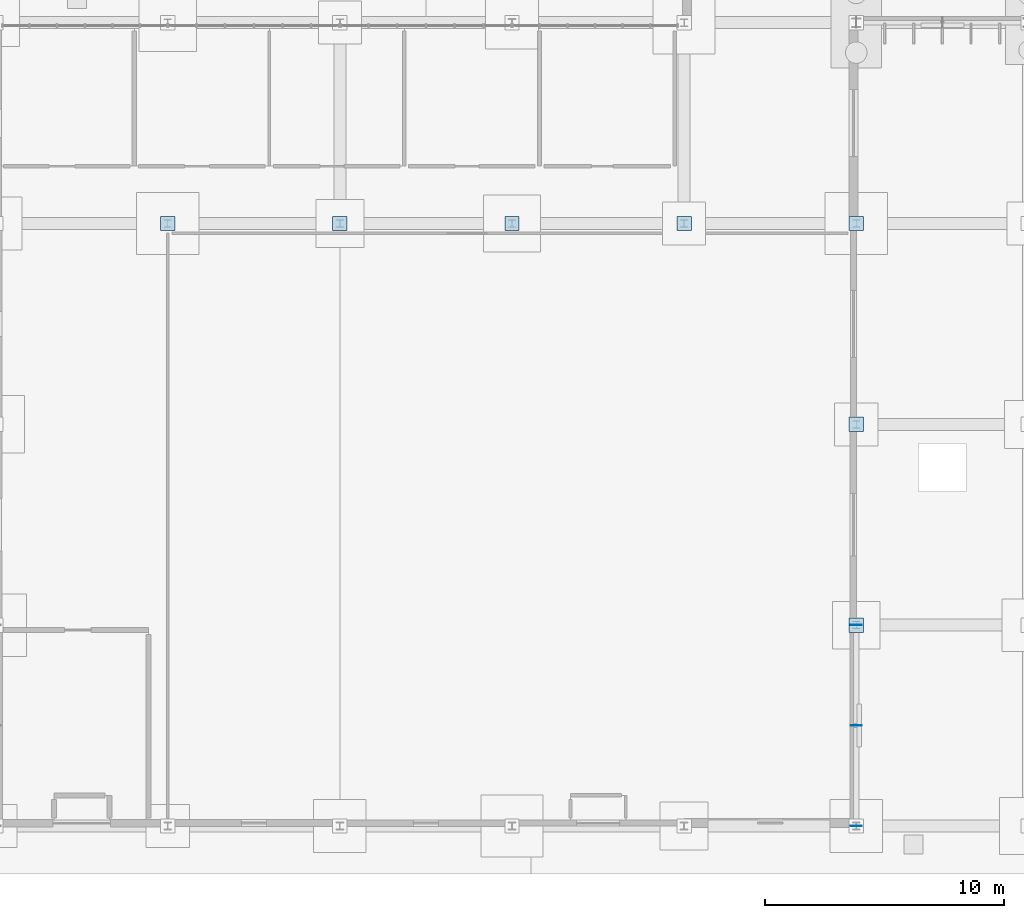
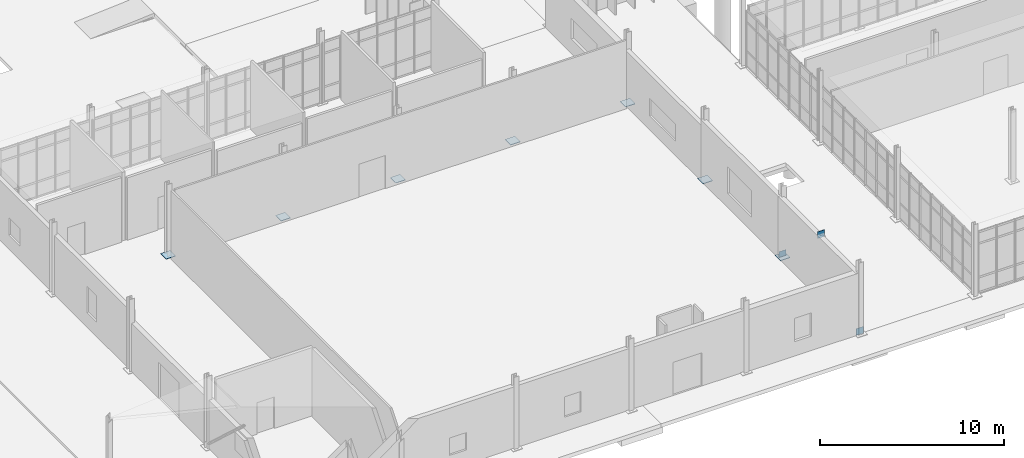
# One storey, part 75 of 118: 10 plates.
"""IFC4 building model written with IfcOpenShell, lengths in metres."""

from ifc_helpers import new_model, si_unit, direction, frame, origin, origin_2d, place, context, subcontext, project, spatial, rectangle, extrude, material, layer, layer_set, type_object, element, save


model = new_model("IFC4")

# Units and contexts
model_context = context("Model", 3, precision=1e-05, world=origin(), true_north=direction((0.0, 1.0)))
body_context = subcontext(model_context, "Body", "Model", "MODEL_VIEW")
ifc_project = project(units=[si_unit("LENGTHUNIT", "METRE"), si_unit("AREAUNIT", "SQUARE_METRE"), si_unit("VOLUMEUNIT", "CUBIC_METRE"), si_unit("PLANEANGLEUNIT", "RADIAN"), si_unit("MASSUNIT", "GRAM", prefix="KILO")], contexts=[model_context])

# Site, building, storey
site_placement = place(None, origin())
site = spatial("IfcSite", under=ifc_project, at=site_placement, CompositionType="ELEMENT")
building_placement = place(site_placement, origin())
building = spatial("IfcBuilding", under=site, at=building_placement, Name="Qelthora Terrace Specialist Clinic", CompositionType="ELEMENT")
storey_placement = place(building_placement, origin())
storey = spatial("IfcBuildingStorey", under=building, at=storey_placement, Name="L00", CompositionType="ELEMENT", Elevation=0.0)

# Plates
ifc_material = material(Name="Steel S355", Category="steel")
ifc_layer_1 = layer(ifc_material, 0.030029296875)
ifc_layer_set_1 = layer_set([ifc_layer_1], Name="Steel S355")
plate_type_1 = type_object("IfcPlateType", Name="PLT-BASE-600X600X30", PredefinedType="USERDEFINED", material=ifc_layer_set_1)
for number, where, z_axis, x_axis, name in (
    (1, (64.800048828125, 25.199951171875, 0.0), (0.0, 0.0, 1.0), (1.0, 0.0, 0.0), "Steel column base plate BPLT-082"),
    (2, (72.0, 25.199951171875, 0.0), (0.0, 0.0, 1.0), (1.0, 0.0, 0.0), "Steel column base plate BPLT-090"),
    (3, (79.199951171875, 25.199951171875, 0.0), (0.0, 0.0, 1.0), (1.0, 0.0, 0.0), "Steel column base plate BPLT-098"),
    (4, (86.39990234375, 25.199951171875, 0.0), (0.0, 0.0, 1.0), (1.0, 0.0, 0.0), "Steel column base plate BPLT-106"),
    (5, (93.60009765625, 8.39990234375, 0.0), (0.0, 0.0, 1.0), (1.0, 0.0, 0.0), "Steel column base plate BPLT-115"),
    (6, (93.60009765625, 16.800048828125, 0.0), (0.0, 0.0, 1.0), (1.0, 0.0, 0.0), "Steel column base plate BPLT-116"),
    (7, (93.60009765625, 25.199951171875, 0.0), (0.0, 0.0, 1.0), (1.0, 0.0, 0.0), "Steel column base plate BPLT-117"),
):
    element("IfcPlate", number, at=place(storey_placement, frame(where, z_axis=z_axis, x_axis=x_axis)), inside=storey, type_object=plate_type_1, Name=name, ObjectType="GUSSET PLATE", PredefinedType="USERDEFINED", context=body_context, shape_type="SweptSolid", body=[
        extrude(rectangle(XDim=0.60009765625, YDim=0.60009765625, at=origin_2d()), origin(), (0.0, 0.0, 1.0), 0.030029296875),
    ])
ifc_layer_2 = layer(ifc_material, 0.02001953125)
ifc_layer_set_2 = layer_set([ifc_layer_2], Name="Steel S355")
plate_type_2 = type_object("IfcPlateType", Name="PLT-GUS-480X480X20", PredefinedType="USERDEFINED", material=ifc_layer_set_2)
for number, where, z_axis, x_axis, name in (
    (8, (93.60009765625, 0.0, -0.0400390625), (0.0, 0.0, 1.0), (1.0, 0.0, 0.0), "Steel truss node plate GPLT-0182"),
    (9, (93.60009765625, 4.199951171875, 3.830078125), (0.0, 0.0, 1.0), (1.0, 0.0, 0.0), "Steel truss node plate GPLT-0183"),
    (10, (93.60009765625, 8.39990234375, -0.0400390625), (0.0, 0.0, 1.0), (1.0, 0.0, 0.0), "Steel truss node plate GPLT-0184"),
):
    element("IfcPlate", number, at=place(storey_placement, frame(where, z_axis=z_axis, x_axis=x_axis)), inside=storey, type_object=plate_type_2, Name=name, ObjectType="GUSSET PLATE", PredefinedType="USERDEFINED", context=body_context, shape_type="SweptSolid", body=[
        extrude(rectangle(XDim=0.43994140625, YDim=0.02001953125, at=origin_2d()), origin(), (0.0, 0.0, 1.0), 0.43994140625),
    ])

save(model, "model.ifc")
